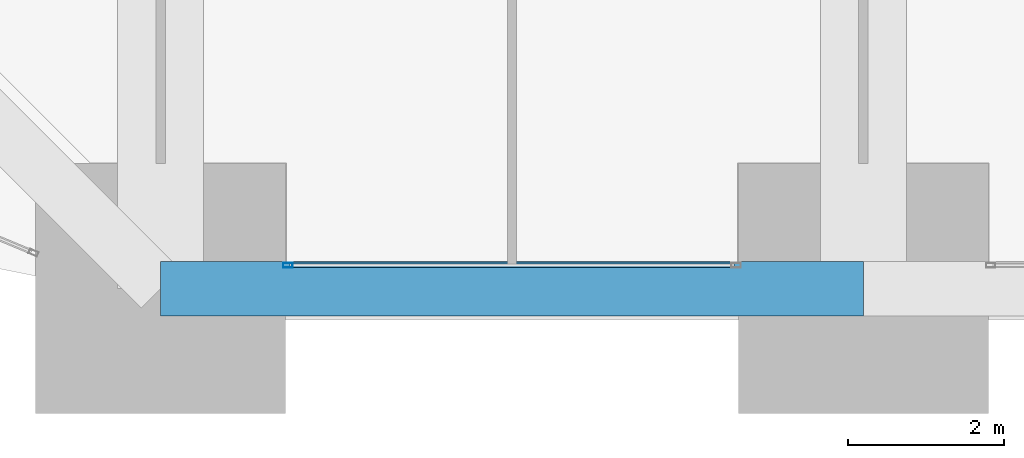
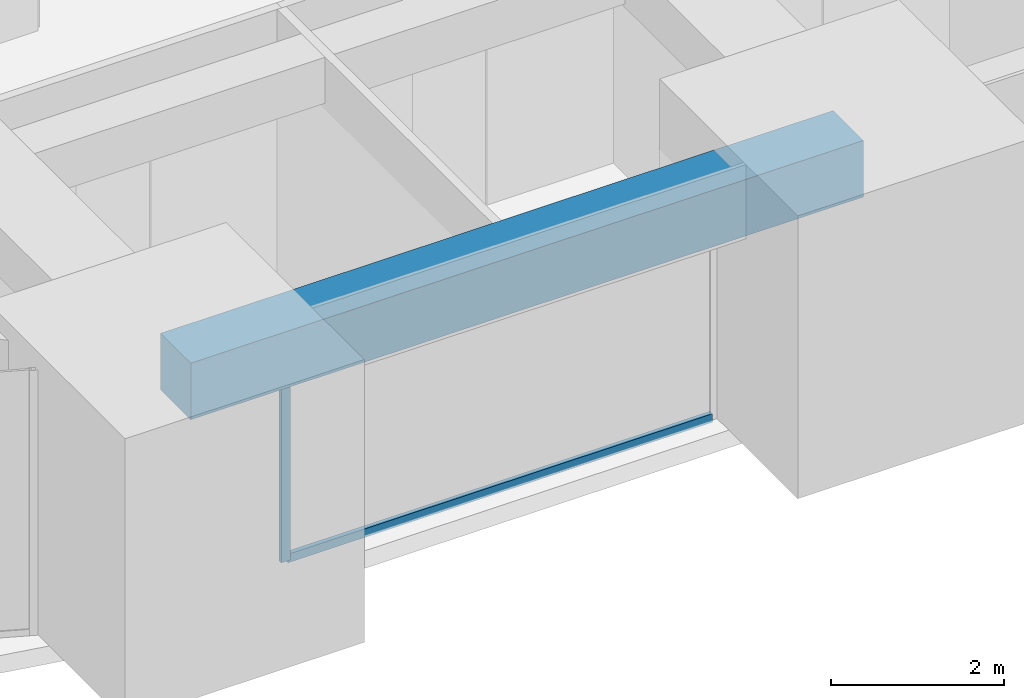
# One storey, part 4 of 43: 2 members, 1 beam, 1 element without a shape of its own.
"""IFC4 building model written with IfcOpenShell, lengths in metres."""

from ifc_helpers import new_model, si_unit, direction, frame, origin, origin_2d, place, context, subcontext, project, spatial, rectangle, hollow_rectangle, extrude, material, material_profile, profile_set, type_object, element, aggregate, save


model = new_model("IFC4")

# Units and contexts
model_context = context("Model", 3, precision=1e-05, world=origin(), true_north=direction((0.0, 1.0)))
body_context = subcontext(model_context, "Body", "Model", "MODEL_VIEW")
ifc_project = project(units=[si_unit("LENGTHUNIT", "METRE"), si_unit("AREAUNIT", "SQUARE_METRE"), si_unit("VOLUMEUNIT", "CUBIC_METRE"), si_unit("PLANEANGLEUNIT", "RADIAN"), si_unit("MASSUNIT", "GRAM", prefix="KILO")], contexts=[model_context])

# Site, building, storey
site_placement = place(None, origin())
site = spatial("IfcSite", under=ifc_project, at=site_placement, CompositionType="ELEMENT")
building_placement = place(site_placement, origin())
building = spatial("IfcBuilding", under=site, at=building_placement, Name="Zorevar Civic Tower", CompositionType="ELEMENT")
storey_placement = place(building_placement, frame((0.0, 0.0, 243.39990234375)))
storey = spatial("IfcBuildingStorey", under=building, at=storey_placement, Name="L59", CompositionType="ELEMENT", Elevation=243.39990234375)

# Curtain wall, members
ifc_material_1 = material(Name="Dark grey solar-control glass in black aluminium frame", Category="aluminium")
curtain_wall_type = type_object("IfcCurtainWallType", Name="Curtain wall CW5 top zone", PredefinedType="NOTDEFINED", material=ifc_material_1)
curtain_wall_placement = place(storey_placement, origin())
curtain_wall = element("IfcCurtainWall", 1, at=curtain_wall_placement, inside=storey, type_object=curtain_wall_type, Name="CW5 L59", PredefinedType="NOTDEFINED")
ifc_material_2 = material(Name="Aluminium, black anodised", Category="aluminium")
ifc_material_profile_1 = material_profile(ifc_material_2, hollow_rectangle(XDim=0.06005859375, YDim=0.1201171875, WallThickness=0.0029296875, at=origin_2d()), Name="AL 120x60x3")
ifc_profile_set_1 = profile_set([ifc_material_profile_1], Name="Aluminium, black anodised")
member_type_1 = type_object("IfcMemberType", Name="CW5 mullion AL 120x60x3", PredefinedType="MULLION", material=ifc_profile_set_1)
member_1_placement = place(storey_placement, frame((19.6298828125, 0.300048828125, 0.0), z_axis=(0.0, 0.0, 1.0), x_axis=(0.0, 1.0, 0.0)))
member_1 = element("IfcMember", 2, at=member_1_placement, type_object=member_type_1, Name="CW5 mullion 1", PredefinedType="MULLION", context=body_context, shape_type="SweptSolid", body=[
    extrude(hollow_rectangle(XDim=0.06005859375, YDim=0.1201171875, WallThickness=0.0029296875, at=origin_2d()), origin(), (0.0, 0.0, 1.0), 2.9501953125),
])
ifc_material_3 = material(Name="Aluminium, black anodised", Category="aluminium")
ifc_material_profile_2 = material_profile(ifc_material_3, hollow_rectangle(XDim=0.06005859375, YDim=0.1201171875, WallThickness=0.0029296875, at=origin_2d()), Name="AL 120x60x3")
ifc_profile_set_2 = profile_set([ifc_material_profile_2], Name="Aluminium, black anodised")
member_type_2 = type_object("IfcMemberType", Name="CW5 transom AL 120x60x3", PredefinedType="USERDEFINED", material=ifc_profile_set_2)
member_2_placement = place(storey_placement, frame((19.659912109375, 0.300048828125, 0.030029296875), z_axis=(1.0, 0.0, 0.0), x_axis=(0.0, 1.0, 0.0)))
member_2 = element("IfcMember", 3, at=member_2_placement, type_object=member_type_2, Name="CW5 sill transom", ObjectType="TRANSOM", PredefinedType="USERDEFINED", context=body_context, shape_type="SweptSolid", body=[
    extrude(hollow_rectangle(XDim=0.06005859375, YDim=0.1201171875, WallThickness=0.0029296875, at=origin_2d()), origin(), (0.0, 0.0, 1.0), 5.68017578125),
])
aggregate(curtain_wall, [member_1, member_2])

# Beam
ifc_material_4 = material(Name="Concrete C50/60", Category="concrete")
ifc_material_profile_3 = material_profile(ifc_material_4, rectangle(XDim=0.699951171875, YDim=0.800048828125, at=origin_2d()), Name="RC 700x800")
ifc_profile_set_3 = profile_set([ifc_material_profile_3], Name="Concrete C50/60")
beam_type = type_object("IfcBeamType", Name="Edge beam RC 700x800", PredefinedType="SPANDREL", material=ifc_profile_set_3)
beam_placement = place(storey_placement, frame((18.0, 0.0, 3.35009765625), z_axis=(1.0, 0.0, 0.0), x_axis=(0.0, 1.0, 0.0)))
element("IfcBeam", 4, at=beam_placement, inside=storey, type_object=beam_type, Name="Edge beam L60", PredefinedType="SPANDREL", context=body_context, shape_type="SweptSolid", body=[
    extrude(rectangle(XDim=0.699951171875, YDim=0.800048828125, at=origin_2d()), origin(), (0.0, 0.0, 1.0), 9.0),
])

save(model, "model.ifc")
